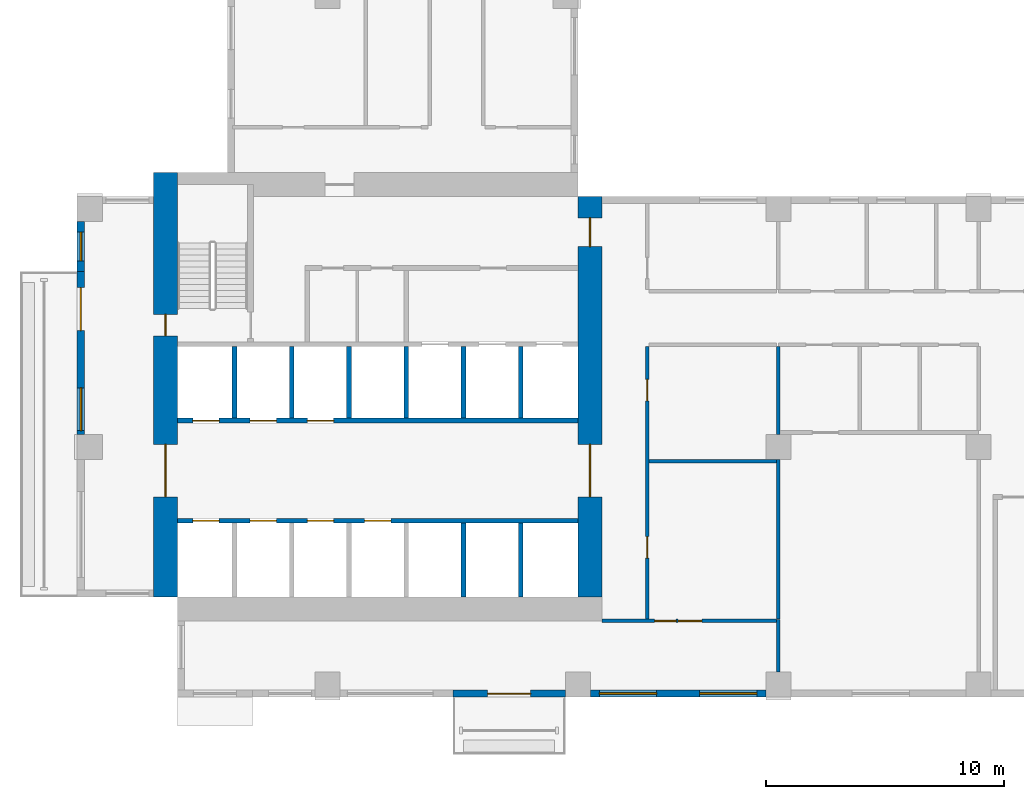
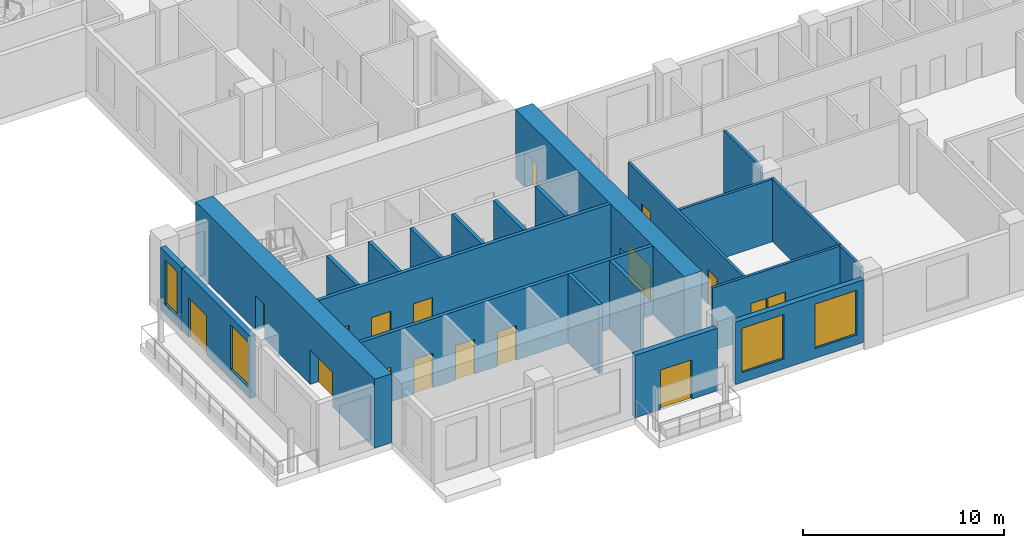
# One storey, part 2 of 13: 22 walls, 17 doors, 4 windows, 21 openings.
"""IFC4 building model written with IfcOpenShell, lengths in metres."""

from ifc_helpers import new_model, si_unit, direction, frame, frame_2d, origin, place, context, subcontext, project, spatial, rectangle, extrude, source, transform, mapped, material, layer, layer_set, type_object, element, fill, save


model = new_model("IFC4")

# Units and contexts
model_context = context("Model", 3, precision=1e-05, world=origin(), true_north=direction((0.0, 1.0)))
body_context = subcontext(model_context, "Body", "Model", "MODEL_VIEW")
ifc_project = project(units=[si_unit("LENGTHUNIT", "METRE"), si_unit("AREAUNIT", "SQUARE_METRE"), si_unit("VOLUMEUNIT", "CUBIC_METRE"), si_unit("PLANEANGLEUNIT", "RADIAN"), si_unit("MASSUNIT", "GRAM", prefix="KILO")], contexts=[model_context])

# Site, building, storey
site_placement = place(None, origin())
site = spatial("IfcSite", under=ifc_project, at=site_placement, CompositionType="ELEMENT")
building_placement = place(site_placement, origin())
building = spatial("IfcBuilding", under=site, at=building_placement, Name="Aurelian Terraces", CompositionType="ELEMENT")
storey_placement = place(building_placement, frame((0.0, 0.0, 158.1)))
storey = spatial("IfcBuildingStorey", under=building, at=storey_placement, Name="L35", CompositionType="ELEMENT", Elevation=158.1)

# Wall, openings, doors
ifc_material_1 = material(Name="Concrete fc' 83 MPa", Category="concrete")
ifc_layer_1 = layer(ifc_material_1, 1.0)
ifc_layer_set_1 = layer_set([ifc_layer_1], Name="CORE WALL 1000 FC83")
wall_type_1 = type_object("IfcWallType", Name="CORE WALL 1000 FC83", PredefinedType="SHEAR", material=ifc_layer_set_1)
shared_shape_1 = source(origin(), body_context, "Body", "SweptSolid", [
    extrude(rectangle(XDim=17.8, YDim=1.0, at=frame_2d((8.9, 0.0))), origin(), (0.0, 0.0, 1.0), 4.2),
])
wall_1_placement = place(storey_placement, frame((3.7, 4.2, 0.0), z_axis=(0.0, 0.0, 1.0), x_axis=(0.0, 1.0, 0.0)))
wall_1 = element("IfcWall", 1, at=wall_1_placement, inside=storey, type_object=wall_type_1, Name="Core wall W L35", PredefinedType="SHEAR", context=body_context, shape_type="MappedRepresentation", body=[
    mapped(shared_shape_1, transform((0.0, 0.0, 0.0), scale=1.0)),
])
shared_shape_2 = source(origin(), body_context, "Body", "SweptSolid", [
    extrude(rectangle(XDim=2.2, YDim=2.1, at=frame_2d((1.1, 1.05))), frame((0.0, 0.51, 0.0), z_axis=(0.0, -1.0, 0.0), x_axis=(1.0, 0.0, 0.0)), (0.0, 0.0, 1.0), 1.02),
])
opening_1_placement = place(wall_1_placement, frame((4.2, 0.0, 0.0)))
opening_1 = element("IfcOpeningElement", 2, at=opening_1_placement, cuts=wall_1, Name="Opening 63821", PredefinedType="OPENING", context=body_context, shape_type="MappedRepresentation", body=[
    mapped(shared_shape_2, transform((0.0, 0.0, 0.0), scale=1.0)),
])
shared_shape_3 = source(origin(), body_context, "Body", "SweptSolid", [
    extrude(rectangle(XDim=0.9, YDim=2.1, at=frame_2d((0.45, 1.05))), frame((0.0, 0.51, 0.0), z_axis=(0.0, -1.0, 0.0), x_axis=(1.0, 0.0, 0.0)), (0.0, 0.0, 1.0), 1.02),
])
opening_2_placement = place(wall_1_placement, frame((10.95, 0.0, 0.0)))
opening_2 = element("IfcOpeningElement", 3, at=opening_2_placement, cuts=wall_1, Name="Opening 63824", PredefinedType="OPENING", context=body_context, shape_type="MappedRepresentation", body=[
    mapped(shared_shape_3, transform((0.0, 0.0, 0.0), scale=1.0)),
])
ifc_material_2 = material(Name="Steel door leaf", Category="steel")
door_type_1 = type_object("IfcDoorType", Name="Core service door 900x2100", OperationType="SINGLE_SWING_LEFT", PredefinedType="DOOR", material=ifc_material_2)
shared_shape_4 = source(origin(), body_context, "Body", "SweptSolid", [
    extrude(rectangle(XDim=0.9, YDim=2.1, at=frame_2d((0.45, 1.05))), frame((0.0, 0.025, 0.0), z_axis=(0.0, -1.0, 0.0), x_axis=(1.0, 0.0, 0.0)), (0.0, 0.0, 1.0), 0.05),
])
door_1_placement = place(opening_2_placement, origin())
door_1 = element("IfcDoor", 4, at=door_1_placement, inside=storey, type_object=door_type_1, Name="Core door 63824", OperationType="SINGLE_SWING_LEFT", OverallHeight=2.1, OverallWidth=0.9, PredefinedType="DOOR", context=body_context, shape_type="MappedRepresentation", body=[
    mapped(shared_shape_4, transform((0.0, 0.0, 0.0), scale=1.0)),
])
fill(opening_2, door_1)
door_type_2 = type_object("IfcDoorType", Name="Core double door 2200x2100", OperationType="DOUBLE_DOOR_SINGLE_SWING", PredefinedType="DOOR", material=ifc_material_2)
shared_shape_5 = source(origin(), body_context, "Body", "SweptSolid", [
    extrude(rectangle(XDim=2.2, YDim=2.1, at=frame_2d((1.1, 1.05))), frame((0.0, 0.025, 0.0), z_axis=(0.0, -1.0, 0.0), x_axis=(1.0, 0.0, 0.0)), (0.0, 0.0, 1.0), 0.05),
])
door_2_placement = place(opening_1_placement, origin())
door_2 = element("IfcDoor", 5, at=door_2_placement, inside=storey, type_object=door_type_2, Name="Core door 63821", OperationType="DOUBLE_DOOR_SINGLE_SWING", OverallHeight=2.1, OverallWidth=2.2, PredefinedType="DOOR", context=body_context, shape_type="MappedRepresentation", body=[
    mapped(shared_shape_5, transform((0.0, 0.0, 0.0), scale=1.0)),
])
fill(opening_1, door_2)

shared_shape_6 = source(origin(), body_context, "Body", "SweptSolid", [
    extrude(rectangle(XDim=16.8, YDim=1.0, at=frame_2d((8.4, 0.0))), origin(), (0.0, 0.0, 1.0), 4.2),
])
wall_2_placement = place(storey_placement, frame((21.5, 4.2, 0.0), z_axis=(0.0, 0.0, 1.0), x_axis=(0.0, 1.0, 0.0)))
wall_2 = element("IfcWall", 6, at=wall_2_placement, inside=storey, type_object=wall_type_1, Name="Core wall E L35", PredefinedType="SHEAR", context=body_context, shape_type="MappedRepresentation", body=[
    mapped(shared_shape_6, transform((0.0, 0.0, 0.0), scale=1.0)),
])
opening_3_placement = place(wall_2_placement, frame((4.2, 0.0, 0.0)))
opening_3 = element("IfcOpeningElement", 7, at=opening_3_placement, cuts=wall_2, Name="Opening 63820", PredefinedType="OPENING", context=body_context, shape_type="MappedRepresentation", body=[
    mapped(shared_shape_2, transform((0.0, 0.0, 0.0), scale=1.0)),
])
shared_shape_7 = source(origin(), body_context, "Body", "SweptSolid", [
    extrude(rectangle(XDim=1.2, YDim=2.1, at=frame_2d((0.6, 1.05))), frame((0.0, 0.51, 0.0), z_axis=(0.0, -1.0, 0.0), x_axis=(1.0, 0.0, 0.0)), (0.0, 0.0, 1.0), 1.02),
])
opening_4_placement = place(wall_2_placement, frame((14.7, 0.0, 0.0)))
opening_4 = element("IfcOpeningElement", 8, at=opening_4_placement, cuts=wall_2, Name="Opening 63823", PredefinedType="OPENING", context=body_context, shape_type="MappedRepresentation", body=[
    mapped(shared_shape_7, transform((0.0, 0.0, 0.0), scale=1.0)),
])
door_type_3 = type_object("IfcDoorType", Name="Core fire door 1200x2100 right", OperationType="SINGLE_SWING_RIGHT", PredefinedType="DOOR", material=ifc_material_2)
shared_shape_8 = source(origin(), body_context, "Body", "SweptSolid", [
    extrude(rectangle(XDim=1.2, YDim=2.1, at=frame_2d((0.6, 1.05))), frame((0.0, 0.025, 0.0), z_axis=(0.0, -1.0, 0.0), x_axis=(1.0, 0.0, 0.0)), (0.0, 0.0, 1.0), 0.05),
])
door_3_placement = place(opening_4_placement, origin())
door_3 = element("IfcDoor", 9, at=door_3_placement, inside=storey, type_object=door_type_3, Name="Core door 63823", OperationType="SINGLE_SWING_RIGHT", OverallHeight=2.1, OverallWidth=1.2, PredefinedType="DOOR", context=body_context, shape_type="MappedRepresentation", body=[
    mapped(shared_shape_8, transform((0.0, 0.0, 0.0), scale=1.0)),
])
fill(opening_4, door_3)
door_4_placement = place(opening_3_placement, origin())
door_4 = element("IfcDoor", 10, at=door_4_placement, inside=storey, type_object=door_type_2, Name="Core door 63820", OperationType="DOUBLE_DOOR_SINGLE_SWING", OverallHeight=2.1, OverallWidth=2.2, PredefinedType="DOOR", context=body_context, shape_type="MappedRepresentation", body=[
    mapped(shared_shape_5, transform((0.0, 0.0, 0.0), scale=1.0)),
])
fill(opening_3, door_4)

# Wall, openings, windows
ifc_material_3 = material(Name="Terracotta rainscreen cladding", Category="masonry")
ifc_layer_2 = layer(ifc_material_3, 0.3)
ifc_layer_set_2 = layer_set([ifc_layer_2], Name="EW-300")
wall_type_2 = type_object("IfcWallType", Name="EW-300", PredefinedType="STANDARD", material=ifc_layer_set_2)
shared_shape_9 = source(origin(), body_context, "Body", "SweptSolid", [
    extrude(rectangle(XDim=7.35, YDim=0.3, at=frame_2d((3.675, 0.0))), origin(), (0.0, 0.0, 1.0), 3.8),
])
wall_3_placement = place(storey_placement, frame((21.525, 0.15, 0.0), z_axis=(0.0, 0.0, 1.0), x_axis=(1.0, 0.0, 0.0)))
wall_3 = element("IfcWall", 11, at=wall_3_placement, inside=storey, type_object=wall_type_2, Name="External wall L35 F01.5", PredefinedType="STANDARD", context=body_context, shape_type="MappedRepresentation", body=[
    mapped(shared_shape_9, transform((0.0, 0.0, 0.0), scale=1.0)),
])
shared_shape_10 = source(origin(), body_context, "Body", "SweptSolid", [
    extrude(rectangle(XDim=2.4, YDim=2.7, at=frame_2d((1.2, 1.35))), frame((0.0, 0.16, 0.0), z_axis=(0.0, -1.0, 0.0), x_axis=(1.0, 0.0, 0.0)), (0.0, 0.0, 1.0), 0.32),
])
opening_5_placement = place(wall_3_placement, frame((0.375, 0.0, 0.6)))
opening_5 = element("IfcOpeningElement", 12, at=opening_5_placement, cuts=wall_3, Name="Opening W2427", PredefinedType="OPENING", context=body_context, shape_type="MappedRepresentation", body=[
    mapped(shared_shape_10, transform((0.0, 0.0, 0.0), scale=1.0)),
])
opening_6_placement = place(wall_3_placement, frame((4.575, 0.0, 0.6)))
opening_6 = element("IfcOpeningElement", 13, at=opening_6_placement, cuts=wall_3, Name="Opening W2427", PredefinedType="OPENING", context=body_context, shape_type="MappedRepresentation", body=[
    mapped(shared_shape_10, transform((0.0, 0.0, 0.0), scale=1.0)),
])
ifc_material_4 = material(Name="Clear glazing", Category="glass")
window_type_1 = type_object("IfcWindowType", Name="W-2400x2700", PartitioningType="SINGLE_PANEL", PredefinedType="WINDOW", material=ifc_material_4)
shared_shape_11 = source(origin(), body_context, "Body", "SweptSolid", [
    extrude(rectangle(XDim=2.4, YDim=2.7, at=frame_2d((1.2, 1.35))), frame((0.0, 0.03, 0.0), z_axis=(0.0, -1.0, 0.0), x_axis=(1.0, 0.0, 0.0)), (0.0, 0.0, 1.0), 0.06),
])
window_1_placement = place(opening_5_placement, origin())
window_1 = element("IfcWindow", 14, at=window_1_placement, inside=storey, type_object=window_type_1, Name="Window L35 L35-F01-05-0", OverallHeight=2.7, OverallWidth=2.4, PartitioningType="SINGLE_PANEL", PredefinedType="WINDOW", context=body_context, shape_type="MappedRepresentation", body=[
    mapped(shared_shape_11, transform((0.0, 0.0, 0.0), scale=1.0)),
])
fill(opening_5, window_1)
window_2_placement = place(opening_6_placement, origin())
window_2 = element("IfcWindow", 15, at=window_2_placement, inside=storey, type_object=window_type_1, Name="Window L35 L35-F01-05-1", OverallHeight=2.7, OverallWidth=2.4, PartitioningType="SINGLE_PANEL", PredefinedType="WINDOW", context=body_context, shape_type="MappedRepresentation", body=[
    mapped(shared_shape_11, transform((0.0, 0.0, 0.0), scale=1.0)),
])
fill(opening_6, window_2)

# Wall, opening, window
shared_shape_12 = source(origin(), body_context, "Body", "SweptSolid", [
    extrude(rectangle(XDim=2.1, YDim=0.3, at=frame_2d((1.05, 0.0))), origin(), (0.0, 0.0, 1.0), 3.8),
])
wall_4_placement = place(storey_placement, frame((0.15, 19.95, 0.0), z_axis=(0.0, 0.0, 1.0), x_axis=(0.0, -1.0, 0.0)))
wall_4 = element("IfcWall", 16, at=wall_4_placement, inside=storey, type_object=wall_type_2, Name="External wall L35 F20.37", PredefinedType="STANDARD", context=body_context, shape_type="MappedRepresentation", body=[
    mapped(shared_shape_12, transform((0.0, 0.0, 0.0), scale=1.0)),
])
shared_shape_13 = source(origin(), body_context, "Body", "SweptSolid", [
    extrude(rectangle(XDim=1.2, YDim=2.7, at=frame_2d((0.6, 1.35))), frame((0.0, 0.16, 0.0), z_axis=(0.0, -1.0, 0.0), x_axis=(1.0, 0.0, 0.0)), (0.0, 0.0, 1.0), 0.32),
])
opening_7_placement = place(wall_4_placement, frame((0.45, 0.0, 0.6)))
opening_7 = element("IfcOpeningElement", 17, at=opening_7_placement, cuts=wall_4, Name="Opening W1227", PredefinedType="OPENING", context=body_context, shape_type="MappedRepresentation", body=[
    mapped(shared_shape_13, transform((0.0, 0.0, 0.0), scale=1.0)),
])
window_type_2 = type_object("IfcWindowType", Name="W-1200x2700", PartitioningType="SINGLE_PANEL", PredefinedType="WINDOW", material=ifc_material_4)
shared_shape_14 = source(origin(), body_context, "Body", "SweptSolid", [
    extrude(rectangle(XDim=1.2, YDim=2.7, at=frame_2d((0.6, 1.35))), frame((0.0, 0.03, 0.0), z_axis=(0.0, -1.0, 0.0), x_axis=(1.0, 0.0, 0.0)), (0.0, 0.0, 1.0), 0.06),
])
window_3_placement = place(opening_7_placement, origin())
window_3 = element("IfcWindow", 18, at=window_3_placement, inside=storey, type_object=window_type_2, Name="Window L35 L35-F20-37-P0", OverallHeight=2.7, OverallWidth=1.2, PartitioningType="SINGLE_PANEL", PredefinedType="WINDOW", context=body_context, shape_type="MappedRepresentation", body=[
    mapped(shared_shape_14, transform((0.0, 0.0, 0.0), scale=1.0)),
])
fill(opening_7, window_3)

# Wall, openings, door, window
shared_shape_15 = source(origin(), body_context, "Body", "SweptSolid", [
    extrude(rectangle(XDim=6.825, YDim=0.3, at=frame_2d((3.4125, 0.0))), origin(), (0.0, 0.0, 1.0), 3.8),
])
wall_5_placement = place(storey_placement, frame((0.15, 17.85, 0.0), z_axis=(0.0, 0.0, 1.0), x_axis=(0.0, -1.0, 0.0)))
wall_5 = element("IfcWall", 19, at=wall_5_placement, inside=storey, type_object=wall_type_2, Name="External wall L35 F20.38", PredefinedType="STANDARD", context=body_context, shape_type="MappedRepresentation", body=[
    mapped(shared_shape_15, transform((0.0, 0.0, 0.0), scale=1.0)),
])
shared_shape_16 = source(origin(), body_context, "Body", "SweptSolid", [
    extrude(rectangle(XDim=1.8, YDim=2.4, at=frame_2d((0.9, 1.2))), frame((0.0, 0.16, 0.0), z_axis=(0.0, -1.0, 0.0), x_axis=(1.0, 0.0, 0.0)), (0.0, 0.0, 1.0), 0.32),
])
opening_8_placement = place(wall_5_placement, frame((0.675, 0.0, 0.0)))
opening_8 = element("IfcOpeningElement", 20, at=opening_8_placement, cuts=wall_5, Name="Opening 83502", PredefinedType="OPENING", context=body_context, shape_type="MappedRepresentation", body=[
    mapped(shared_shape_16, transform((0.0, 0.0, 0.0), scale=1.0)),
])
shared_shape_17 = source(origin(), body_context, "Body", "SweptSolid", [
    extrude(rectangle(XDim=1.8, YDim=2.7, at=frame_2d((0.9, 1.35))), frame((0.0, 0.16, 0.0), z_axis=(0.0, -1.0, 0.0), x_axis=(1.0, 0.0, 0.0)), (0.0, 0.0, 1.0), 0.32),
])
opening_9_placement = place(wall_5_placement, frame((4.875, 0.0, 0.6)))
opening_9 = element("IfcOpeningElement", 21, at=opening_9_placement, cuts=wall_5, Name="Opening W1827", PredefinedType="OPENING", context=body_context, shape_type="MappedRepresentation", body=[
    mapped(shared_shape_17, transform((0.0, 0.0, 0.0), scale=1.0)),
])
door_type_4 = type_object("IfcDoorType", Name="BD-1800x2400", OperationType="SLIDING_TO_LEFT", PredefinedType="DOOR", material=ifc_material_4)
shared_shape_18 = source(origin(), body_context, "Body", "SweptSolid", [
    extrude(rectangle(XDim=1.8, YDim=2.4, at=frame_2d((0.9, 1.2))), frame((0.0, 0.025, 0.0), z_axis=(0.0, -1.0, 0.0), x_axis=(1.0, 0.0, 0.0)), (0.0, 0.0, 1.0), 0.05),
])
door_5_placement = place(opening_8_placement, origin())
door_5 = element("IfcDoor", 22, at=door_5_placement, inside=storey, type_object=door_type_4, Name="Balcony door L35 F20.38", OperationType="SLIDING_TO_LEFT", OverallHeight=2.4, OverallWidth=1.8, PredefinedType="DOOR", context=body_context, shape_type="MappedRepresentation", body=[
    mapped(shared_shape_18, transform((0.0, 0.0, 0.0), scale=1.0)),
])
fill(opening_8, door_5)
window_type_3 = type_object("IfcWindowType", Name="W-1800x2700", PartitioningType="SINGLE_PANEL", PredefinedType="WINDOW", material=ifc_material_4)
shared_shape_19 = source(origin(), body_context, "Body", "SweptSolid", [
    extrude(rectangle(XDim=1.8, YDim=2.7, at=frame_2d((0.9, 1.35))), frame((0.0, 0.03, 0.0), z_axis=(0.0, -1.0, 0.0), x_axis=(1.0, 0.0, 0.0)), (0.0, 0.0, 1.0), 0.06),
])
window_4_placement = place(opening_9_placement, origin())
window_4 = element("IfcWindow", 23, at=window_4_placement, inside=storey, type_object=window_type_3, Name="Window L35 L35-F20-38-1", OverallHeight=2.7, OverallWidth=1.8, PartitioningType="SINGLE_PANEL", PredefinedType="WINDOW", context=body_context, shape_type="MappedRepresentation", body=[
    mapped(shared_shape_19, transform((0.0, 0.0, 0.0), scale=1.0)),
])
fill(opening_9, window_4)

# Wall, opening, door
shared_shape_20 = source(origin(), body_context, "Body", "SweptSolid", [
    extrude(rectangle(XDim=4.725, YDim=0.3, at=frame_2d((2.3625, 0.0))), origin(), (0.0, 0.0, 1.0), 3.8),
])
wall_6_placement = place(storey_placement, frame((15.75, 0.15, 0.0), z_axis=(0.0, 0.0, 1.0), x_axis=(1.0, 0.0, 0.0)))
wall_6 = element("IfcWall", 24, at=wall_6_placement, inside=storey, type_object=wall_type_2, Name="External wall L35 F01.4", PredefinedType="STANDARD", context=body_context, shape_type="MappedRepresentation", body=[
    mapped(shared_shape_20, transform((0.0, 0.0, 0.0), scale=1.0)),
])
opening_10_placement = place(wall_6_placement, frame((1.4625, 0.0, 0.0)))
opening_10 = element("IfcOpeningElement", 25, at=opening_10_placement, cuts=wall_6, Name="Opening 83501", PredefinedType="OPENING", context=body_context, shape_type="MappedRepresentation", body=[
    mapped(shared_shape_16, transform((0.0, 0.0, 0.0), scale=1.0)),
])
door_6_placement = place(opening_10_placement, origin())
door_6 = element("IfcDoor", 26, at=door_6_placement, inside=storey, type_object=door_type_4, Name="Balcony door L35 F01.4", OperationType="SLIDING_TO_LEFT", OverallHeight=2.4, OverallWidth=1.8, PredefinedType="DOOR", context=body_context, shape_type="MappedRepresentation", body=[
    mapped(shared_shape_18, transform((0.0, 0.0, 0.0), scale=1.0)),
])
fill(opening_10, door_6)

# Walls
ifc_material_5 = material(Name="Concrete fc' 40 MPa", Category="concrete")
ifc_layer_3 = layer(ifc_material_5, 0.2)
ifc_layer_set_3 = layer_set([ifc_layer_3], Name="Lift shaft wall 200")
wall_type_3 = type_object("IfcWallType", Name="Lift shaft wall 200", PredefinedType="SOLIDWALL", material=ifc_layer_set_3)
shared_shape_21 = source(origin(), body_context, "Body", "SweptSolid", [
    extrude(rectangle(XDim=3.1, YDim=0.2, at=frame_2d((1.55, 0.0))), origin(), (0.0, 0.0, 1.0), 4.2),
])
for number, where, z_axis, x_axis, name in (
    (27, (16.2, 4.2, 0.0), (0.0, 0.0, 1.0), (0.0, 1.0, 0.0), "L35 core wall CD-A5"),
    (28, (18.6, 4.2, 0.0), (0.0, 0.0, 1.0), (0.0, 1.0, 0.0), "L35 core wall CD-A6"),
):
    element("IfcWall", number, at=place(storey_placement, frame(where, z_axis=z_axis, x_axis=x_axis)), inside=storey, type_object=wall_type_3, Name=name, PredefinedType="SOLIDWALL", context=body_context, shape_type="MappedRepresentation", body=[
        mapped(shared_shape_21, transform((0.0, 0.0, 0.0), scale=1.0)),
    ])
shared_shape_22 = source(origin(), body_context, "Body", "SweptSolid", [
    extrude(rectangle(XDim=3.0, YDim=0.2, at=frame_2d((1.5, 0.0))), origin(), (0.0, 0.0, 1.0), 4.2),
])
for number, where, z_axis, x_axis, name in (
    (29, (6.6, 11.7, 0.0), (0.0, 0.0, 1.0), (0.0, 1.0, 0.0), "L35 core wall CD-B1"),
    (30, (9.0, 11.7, 0.0), (0.0, 0.0, 1.0), (0.0, 1.0, 0.0), "L35 core wall CD-B2"),
    (31, (11.4, 11.7, 0.0), (0.0, 0.0, 1.0), (0.0, 1.0, 0.0), "L35 core wall CD-B3"),
    (32, (13.8, 11.7, 0.0), (0.0, 0.0, 1.0), (0.0, 1.0, 0.0), "L35 core wall CD-B4"),
    (33, (16.2, 11.7, 0.0), (0.0, 0.0, 1.0), (0.0, 1.0, 0.0), "L35 core wall CD-B5"),
    (34, (18.6, 11.7, 0.0), (0.0, 0.0, 1.0), (0.0, 1.0, 0.0), "L35 core wall CD-B6"),
):
    element("IfcWall", number, at=place(storey_placement, frame(where, z_axis=z_axis, x_axis=x_axis)), inside=storey, type_object=wall_type_3, Name=name, PredefinedType="SOLIDWALL", context=body_context, shape_type="MappedRepresentation", body=[
        mapped(shared_shape_22, transform((0.0, 0.0, 0.0), scale=1.0)),
    ])

# Wall, openings, doors
shared_shape_23 = source(origin(), body_context, "Body", "SweptSolid", [
    extrude(rectangle(XDim=16.8, YDim=0.2, at=frame_2d((8.4, 0.0))), origin(), (0.0, 0.0, 1.0), 4.2),
])
wall_7_placement = place(storey_placement, frame((4.2, 7.4, 0.0), z_axis=(0.0, 0.0, 1.0), x_axis=(1.0, 0.0, 0.0)))
wall_7 = element("IfcWall", 35, at=wall_7_placement, inside=storey, type_object=wall_type_3, Name="L35 core wall CF-AF1", PredefinedType="SOLIDWALL", context=body_context, shape_type="MappedRepresentation", body=[
    mapped(shared_shape_23, transform((0.0, 0.0, 0.0), scale=1.0)),
])
shared_shape_24 = source(origin(), body_context, "Body", "SweptSolid", [
    extrude(rectangle(XDim=1.1, YDim=2.1, at=frame_2d((0.55, 1.05))), frame((0.0, 0.11, 0.0), z_axis=(0.0, -1.0, 0.0), x_axis=(1.0, 0.0, 0.0)), (0.0, 0.0, 1.0), 0.22),
])
opening_11_placement = place(wall_7_placement, frame((0.65, 0.0, 0.0)))
opening_11 = element("IfcOpeningElement", 36, at=opening_11_placement, cuts=wall_7, Name="Opening 63800", PredefinedType="OPENING", context=body_context, shape_type="MappedRepresentation", body=[
    mapped(shared_shape_24, transform((0.0, 0.0, 0.0), scale=1.0)),
])
opening_12_placement = place(wall_7_placement, frame((3.05, 0.0, 0.0)))
opening_12 = element("IfcOpeningElement", 37, at=opening_12_placement, cuts=wall_7, Name="Opening 63801", PredefinedType="OPENING", context=body_context, shape_type="MappedRepresentation", body=[
    mapped(shared_shape_24, transform((0.0, 0.0, 0.0), scale=1.0)),
])
opening_13_placement = place(wall_7_placement, frame((5.45, 0.0, 0.0)))
opening_13 = element("IfcOpeningElement", 38, at=opening_13_placement, cuts=wall_7, Name="Opening 63802", PredefinedType="OPENING", context=body_context, shape_type="MappedRepresentation", body=[
    mapped(shared_shape_24, transform((0.0, 0.0, 0.0), scale=1.0)),
])
opening_14_placement = place(wall_7_placement, frame((7.85, 0.0, 0.0)))
opening_14 = element("IfcOpeningElement", 39, at=opening_14_placement, cuts=wall_7, Name="Opening 63803", PredefinedType="OPENING", context=body_context, shape_type="MappedRepresentation", body=[
    mapped(shared_shape_24, transform((0.0, 0.0, 0.0), scale=1.0)),
])
ifc_material_6 = material(Name="Stainless steel", Category="steel")
door_type_5 = type_object("IfcDoorType", Name="Lift landing door 1100x2100", OperationType="SLIDING_TO_LEFT", PredefinedType="DOOR", material=ifc_material_6)
shared_shape_25 = source(origin(), body_context, "Body", "SweptSolid", [
    extrude(rectangle(XDim=1.1, YDim=2.1, at=frame_2d((0.55, 1.05))), frame((0.0, 0.025, 0.0), z_axis=(0.0, -1.0, 0.0), x_axis=(1.0, 0.0, 0.0)), (0.0, 0.0, 1.0), 0.05),
])
door_7_placement = place(opening_11_placement, origin())
door_7 = element("IfcDoor", 40, at=door_7_placement, inside=storey, type_object=door_type_5, Name="Lift landing door LL1 L35", OperationType="SLIDING_TO_LEFT", OverallHeight=2.1, OverallWidth=1.1, PredefinedType="DOOR", context=body_context, shape_type="MappedRepresentation", body=[
    mapped(shared_shape_25, transform((0.0, 0.0, 0.0), scale=1.0)),
])
fill(opening_11, door_7)
door_8_placement = place(opening_12_placement, origin())
door_8 = element("IfcDoor", 41, at=door_8_placement, inside=storey, type_object=door_type_5, Name="Lift landing door LL2 L35", OperationType="SLIDING_TO_LEFT", OverallHeight=2.1, OverallWidth=1.1, PredefinedType="DOOR", context=body_context, shape_type="MappedRepresentation", body=[
    mapped(shared_shape_25, transform((0.0, 0.0, 0.0), scale=1.0)),
])
fill(opening_12, door_8)
door_9_placement = place(opening_13_placement, origin())
door_9 = element("IfcDoor", 42, at=door_9_placement, inside=storey, type_object=door_type_5, Name="Lift landing door LL3 L35", OperationType="SLIDING_TO_LEFT", OverallHeight=2.1, OverallWidth=1.1, PredefinedType="DOOR", context=body_context, shape_type="MappedRepresentation", body=[
    mapped(shared_shape_25, transform((0.0, 0.0, 0.0), scale=1.0)),
])
fill(opening_13, door_9)
door_10_placement = place(opening_14_placement, origin())
door_10 = element("IfcDoor", 43, at=door_10_placement, inside=storey, type_object=door_type_5, Name="Lift landing door LL4 L35", OperationType="SLIDING_TO_LEFT", OverallHeight=2.1, OverallWidth=1.1, PredefinedType="DOOR", context=body_context, shape_type="MappedRepresentation", body=[
    mapped(shared_shape_25, transform((0.0, 0.0, 0.0), scale=1.0)),
])
fill(opening_14, door_10)

wall_8_placement = place(storey_placement, frame((4.2, 11.6, 0.0), z_axis=(0.0, 0.0, 1.0), x_axis=(1.0, 0.0, 0.0)))
wall_8 = element("IfcWall", 44, at=wall_8_placement, inside=storey, type_object=wall_type_3, Name="L35 core wall CF-BF1", PredefinedType="SOLIDWALL", context=body_context, shape_type="MappedRepresentation", body=[
    mapped(shared_shape_23, transform((0.0, 0.0, 0.0), scale=1.0)),
])
opening_15_placement = place(wall_8_placement, frame((0.65, 0.0, 0.0)))
opening_15 = element("IfcOpeningElement", 45, at=opening_15_placement, cuts=wall_8, Name="Opening 63804", PredefinedType="OPENING", context=body_context, shape_type="MappedRepresentation", body=[
    mapped(shared_shape_24, transform((0.0, 0.0, 0.0), scale=1.0)),
])
opening_16_placement = place(wall_8_placement, frame((3.05, 0.0, 0.0)))
opening_16 = element("IfcOpeningElement", 46, at=opening_16_placement, cuts=wall_8, Name="Opening 63805", PredefinedType="OPENING", context=body_context, shape_type="MappedRepresentation", body=[
    mapped(shared_shape_24, transform((0.0, 0.0, 0.0), scale=1.0)),
])
opening_17_placement = place(wall_8_placement, frame((5.45, 0.0, 0.0)))
opening_17 = element("IfcOpeningElement", 47, at=opening_17_placement, cuts=wall_8, Name="Opening 63806", PredefinedType="OPENING", context=body_context, shape_type="MappedRepresentation", body=[
    mapped(shared_shape_24, transform((0.0, 0.0, 0.0), scale=1.0)),
])
door_11_placement = place(opening_15_placement, origin())
door_11 = element("IfcDoor", 48, at=door_11_placement, inside=storey, type_object=door_type_5, Name="Lift landing door LL5 L35", OperationType="SLIDING_TO_LEFT", OverallHeight=2.1, OverallWidth=1.1, PredefinedType="DOOR", context=body_context, shape_type="MappedRepresentation", body=[
    mapped(shared_shape_25, transform((0.0, 0.0, 0.0), scale=1.0)),
])
fill(opening_15, door_11)
door_12_placement = place(opening_16_placement, origin())
door_12 = element("IfcDoor", 49, at=door_12_placement, inside=storey, type_object=door_type_5, Name="Lift landing door LL6 L35", OperationType="SLIDING_TO_LEFT", OverallHeight=2.1, OverallWidth=1.1, PredefinedType="DOOR", context=body_context, shape_type="MappedRepresentation", body=[
    mapped(shared_shape_25, transform((0.0, 0.0, 0.0), scale=1.0)),
])
fill(opening_16, door_12)
door_13_placement = place(opening_17_placement, origin())
door_13 = element("IfcDoor", 50, at=door_13_placement, inside=storey, type_object=door_type_5, Name="Lift landing door LL7 L35", OperationType="SLIDING_TO_LEFT", OverallHeight=2.1, OverallWidth=1.1, PredefinedType="DOOR", context=body_context, shape_type="MappedRepresentation", body=[
    mapped(shared_shape_25, transform((0.0, 0.0, 0.0), scale=1.0)),
])
fill(opening_17, door_13)

# Walls
ifc_material_7 = material(Name="Gypsum board on steel studs", Category="steel")
ifc_layer_4 = layer(ifc_material_7, 0.15)
ifc_layer_set_4 = layer_set([ifc_layer_4], Name="Partition 150")
wall_type_4 = type_object("IfcWallType", Name="Partition 150", PredefinedType="PARTITIONING", material=ifc_layer_set_4)
shared_shape_26 = source(origin(), body_context, "Body", "SweptSolid", [
    extrude(rectangle(XDim=3.676, YDim=0.15, at=frame_2d((1.838, 0.0))), origin(), (0.0, 0.0, 1.0), 3.8),
])
wall_9_placement = place(storey_placement, frame((29.4, 11.024, 0.0), z_axis=(0.0, 0.0, 1.0), x_axis=(0.0, 1.0, 0.0)))
element("IfcWall", 51, at=wall_9_placement, inside=storey, type_object=wall_type_4, Name="Partition", PredefinedType="PARTITIONING", context=body_context, shape_type="MappedRepresentation", body=[
    mapped(shared_shape_26, transform((0.0, 0.0, 0.0), scale=1.0)),
])
shared_shape_27 = source(origin(), body_context, "Body", "SweptSolid", [
    extrude(rectangle(XDim=6.701, YDim=0.15, at=frame_2d((3.3505, 0.0))), origin(), (0.0, 0.0, 1.0), 3.8),
])
wall_10_placement = place(storey_placement, frame((29.4, 3.275, 0.0), z_axis=(0.0, 0.0, 1.0), x_axis=(0.0, 1.0, 0.0)))
element("IfcWall", 52, at=wall_10_placement, inside=storey, type_object=wall_type_4, Name="Partition", PredefinedType="PARTITIONING", context=body_context, shape_type="MappedRepresentation", body=[
    mapped(shared_shape_27, transform((0.0, 0.0, 0.0), scale=1.0)),
])
shared_shape_28 = source(origin(), body_context, "Body", "SweptSolid", [
    extrude(rectangle(XDim=2.206, YDim=0.15, at=frame_2d((1.103, 0.0))), origin(), (0.0, 0.0, 1.0), 3.8),
])
wall_11_placement = place(storey_placement, frame((29.4, 1.049, 0.0), z_axis=(0.0, 0.0, 1.0), x_axis=(0.0, 1.0, 0.0)))
element("IfcWall", 53, at=wall_11_placement, inside=storey, type_object=wall_type_4, Name="Partition", PredefinedType="PARTITIONING", context=body_context, shape_type="MappedRepresentation", body=[
    mapped(shared_shape_28, transform((0.0, 0.0, 0.0), scale=1.0)),
])

# Wall, openings, doors
shared_shape_29 = source(origin(), body_context, "Body", "SweptSolid", [
    extrude(rectangle(XDim=7.325, YDim=0.15, at=frame_2d((3.6625, 0.0))), origin(), (0.0, 0.0, 1.0), 3.8),
])
wall_12_placement = place(storey_placement, frame((22.0, 3.2, 0.0), z_axis=(0.0, 0.0, 1.0), x_axis=(1.0, 0.0, 0.0)))
wall_12 = element("IfcWall", 54, at=wall_12_placement, inside=storey, type_object=wall_type_4, Name="Partition", PredefinedType="PARTITIONING", context=body_context, shape_type="MappedRepresentation", body=[
    mapped(shared_shape_29, transform((0.0, 0.0, 0.0), scale=1.0)),
])
shared_shape_30 = source(origin(), body_context, "Body", "SweptSolid", [
    extrude(rectangle(XDim=1.0, YDim=2.1, at=frame_2d((0.5, 1.05))), frame((0.0, 0.085, 0.0), z_axis=(0.0, -1.0, 0.0), x_axis=(1.0, 0.0, 0.0)), (0.0, 0.0, 1.0), 0.17),
])
opening_18_placement = place(wall_12_placement, frame((3.2, 0.0, 0.0)))
opening_18 = element("IfcOpeningElement", 55, at=opening_18_placement, cuts=wall_12, Name="Opening 735004", PredefinedType="OPENING", context=body_context, shape_type="MappedRepresentation", body=[
    mapped(shared_shape_30, transform((0.0, 0.0, 0.0), scale=1.0)),
])
shared_shape_31 = source(origin(), body_context, "Body", "SweptSolid", [
    extrude(rectangle(XDim=0.9, YDim=2.1, at=frame_2d((0.45, 1.05))), frame((0.0, 0.085, 0.0), z_axis=(0.0, -1.0, 0.0), x_axis=(1.0, 0.0, 0.0)), (0.0, 0.0, 1.0), 0.17),
])
opening_19_placement = place(wall_12_placement, frame((2.213, 0.0, 0.0)))
opening_19 = element("IfcOpeningElement", 56, at=opening_19_placement, cuts=wall_12, Name="Opening 735045", PredefinedType="OPENING", context=body_context, shape_type="MappedRepresentation", body=[
    mapped(shared_shape_31, transform((0.0, 0.0, 0.0), scale=1.0)),
])
ifc_material_8 = material(Name="Timber door leaf", Category="wood")
door_type_6 = type_object("IfcDoorType", Name="Room door 1000x2100 right", OperationType="SINGLE_SWING_RIGHT", PredefinedType="DOOR", material=ifc_material_8)
shared_shape_32 = source(origin(), body_context, "Body", "SweptSolid", [
    extrude(rectangle(XDim=1.0, YDim=2.1, at=frame_2d((0.5, 1.05))), frame((0.0, 0.025, 0.0), z_axis=(0.0, -1.0, 0.0), x_axis=(1.0, 0.0, 0.0)), (0.0, 0.0, 1.0), 0.05),
])
door_14_placement = place(opening_18_placement, origin())
door_14 = element("IfcDoor", 57, at=door_14_placement, inside=storey, type_object=door_type_6, Name="Door 735004", OperationType="SINGLE_SWING_RIGHT", OverallHeight=2.1, OverallWidth=1.0, PredefinedType="DOOR", context=body_context, shape_type="MappedRepresentation", body=[
    mapped(shared_shape_32, transform((0.0, 0.0, 0.0), scale=1.0)),
])
fill(opening_18, door_14)
door_type_7 = type_object("IfcDoorType", Name="Room door 900x2100 left", OperationType="SINGLE_SWING_LEFT", PredefinedType="DOOR", material=ifc_material_8)
door_15_placement = place(opening_19_placement, origin())
door_15 = element("IfcDoor", 58, at=door_15_placement, inside=storey, type_object=door_type_7, Name="Door 735045", OperationType="SINGLE_SWING_LEFT", OverallHeight=2.1, OverallWidth=0.9, PredefinedType="DOOR", context=body_context, shape_type="MappedRepresentation", body=[
    mapped(shared_shape_4, transform((0.0, 0.0, 0.0), scale=1.0)),
])
fill(opening_19, door_15)

shared_shape_33 = source(origin(), body_context, "Body", "SweptSolid", [
    extrude(rectangle(XDim=11.425, YDim=0.15, at=frame_2d((5.7125, 0.0))), origin(), (0.0, 0.0, 1.0), 3.8),
])
wall_13_placement = place(storey_placement, frame((23.9, 14.7, 0.0), z_axis=(0.0, 0.0, 1.0), x_axis=(0.0, -1.0, 0.0)))
wall_13 = element("IfcWall", 59, at=wall_13_placement, inside=storey, type_object=wall_type_4, Name="Partition", PredefinedType="PARTITIONING", context=body_context, shape_type="MappedRepresentation", body=[
    mapped(shared_shape_33, transform((0.0, 0.0, 0.0), scale=1.0)),
])
opening_20_placement = place(wall_13_placement, frame((7.9625, 0.0, 0.0)))
opening_20 = element("IfcOpeningElement", 60, at=opening_20_placement, cuts=wall_13, Name="Opening 735001", PredefinedType="OPENING", context=body_context, shape_type="MappedRepresentation", body=[
    mapped(shared_shape_31, transform((0.0, 0.0, 0.0), scale=1.0)),
])
opening_21_placement = place(wall_13_placement, frame((1.375, 0.0, 0.0)))
opening_21 = element("IfcOpeningElement", 61, at=opening_21_placement, cuts=wall_13, Name="Opening 735002", PredefinedType="OPENING", context=body_context, shape_type="MappedRepresentation", body=[
    mapped(shared_shape_31, transform((0.0, 0.0, 0.0), scale=1.0)),
])
door_16_placement = place(opening_20_placement, origin())
door_16 = element("IfcDoor", 62, at=door_16_placement, inside=storey, type_object=door_type_7, Name="Door 735001", OperationType="SINGLE_SWING_LEFT", OverallHeight=2.1, OverallWidth=0.9, PredefinedType="DOOR", context=body_context, shape_type="MappedRepresentation", body=[
    mapped(shared_shape_4, transform((0.0, 0.0, 0.0), scale=1.0)),
])
fill(opening_20, door_16)
door_type_8 = type_object("IfcDoorType", Name="Room door 900x2100 right", OperationType="SINGLE_SWING_RIGHT", PredefinedType="DOOR", material=ifc_material_8)
door_17_placement = place(opening_21_placement, origin())
door_17 = element("IfcDoor", 63, at=door_17_placement, inside=storey, type_object=door_type_8, Name="Door 735002", OperationType="SINGLE_SWING_RIGHT", OverallHeight=2.1, OverallWidth=0.9, PredefinedType="DOOR", context=body_context, shape_type="MappedRepresentation", body=[
    mapped(shared_shape_4, transform((0.0, 0.0, 0.0), scale=1.0)),
])
fill(opening_21, door_17)

# Wall
shared_shape_34 = source(origin(), body_context, "Body", "SweptSolid", [
    extrude(rectangle(XDim=5.35, YDim=0.15, at=frame_2d((2.675, 0.0))), origin(), (0.0, 0.0, 1.0), 3.8),
])
wall_14_placement = place(storey_placement, frame((29.325, 9.9, 0.0), z_axis=(0.0, 0.0, 1.0), x_axis=(-1.0, 0.0, 0.0)))
element("IfcWall", 64, at=wall_14_placement, inside=storey, type_object=wall_type_4, Name="Partition", PredefinedType="PARTITIONING", context=body_context, shape_type="MappedRepresentation", body=[
    mapped(shared_shape_34, transform((0.0, 0.0, 0.0), scale=1.0)),
])

save(model, "model.ifc")
